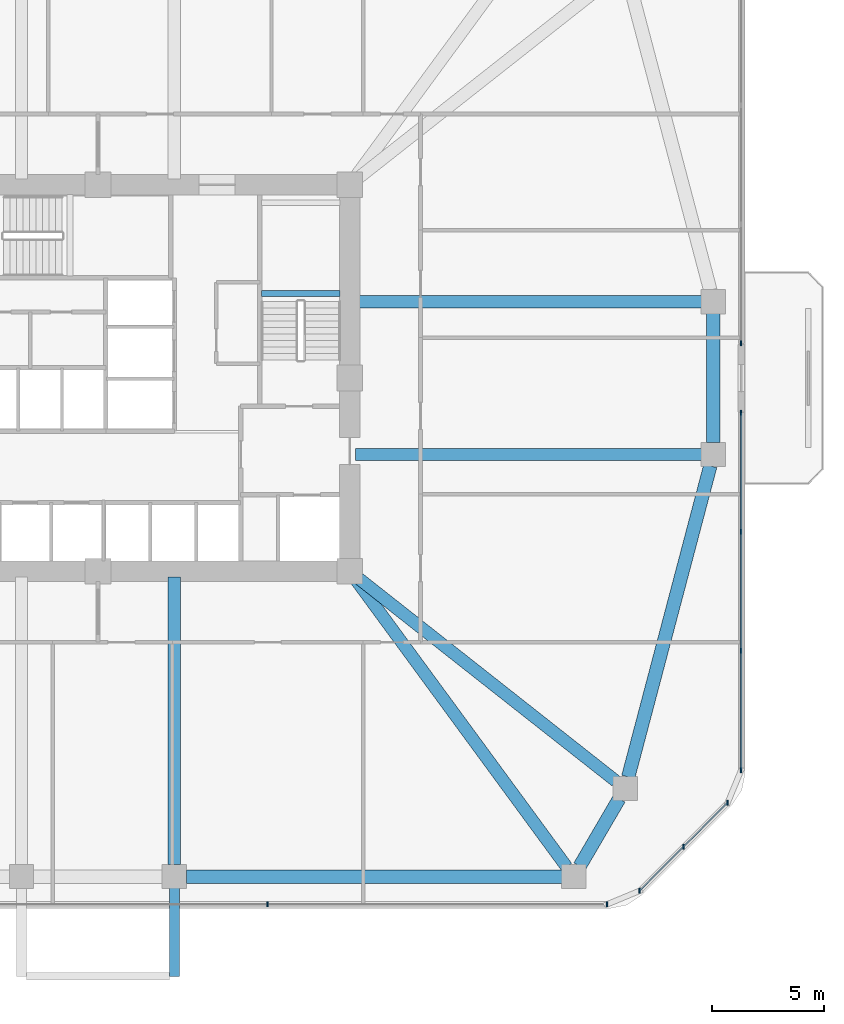
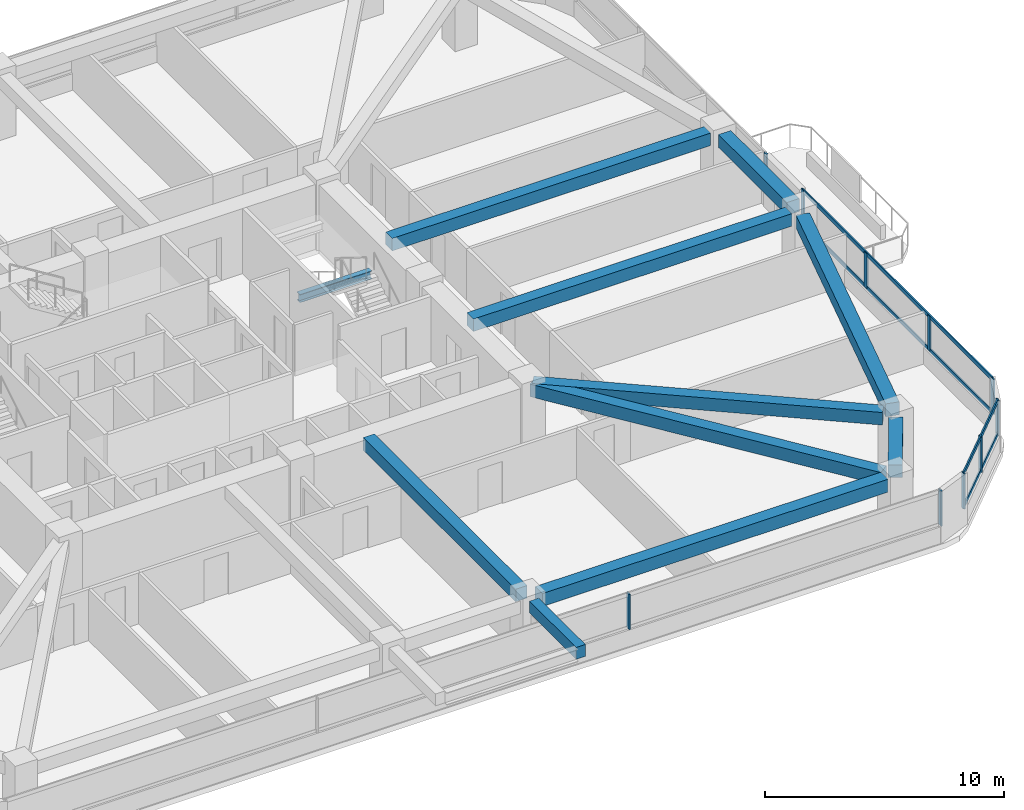
# One storey, part 5 of 14: 14 members, 11 beams, 4 elements without a shape of their own.
"""IFC4 building model written with IfcOpenShell, lengths in metres."""

import ifcopenshell
import ifcopenshell.guid

model = None  # the IFC model being written
_history = None  # IfcOwnerHistory: only IFC2X3 demands one
_inside = {}  # id of a spatial element -> (the spatial element, [elements in it])
_under = {}  # id of a project, library or spatial element -> (it, [spatial elements below it])
_declared = {}  # id of a project -> (the project, [libraries it declares])
_typed = {}  # id of a type object -> (the type object, [elements of that type])
_made_of = {}  # id of a material, layer set ... -> (it, [elements and type objects made of it])


def new_model(schema):
    """Start an empty IFC model of exactly this schema.

    Asked for "IFC4X3", IfcOpenShell would pick the latest addendum, in which some entities
    have other attributes; the version numbers below select the first issue.
    IFC2X3 requires an IfcOwnerHistory on every rooted entity: one is made here for all.
    """
    global model, _history
    if schema == "IFC4X3":
        model = ifcopenshell.file(schema_version=(4, 3, 0, 0))
    else:
        model = ifcopenshell.file(schema=schema)
    _inside.clear()
    _under.clear()
    _declared.clear()
    _typed.clear()
    _made_of.clear()
    _history = None
    if model.schema == "IFC2X3":
        org = make("IfcOrganization", Name="unknown")
        user = make(
            "IfcPersonAndOrganization",
            ThePerson=make("IfcPerson", FamilyName="unknown"),
            TheOrganization=org,
        )
        app = make(
            "IfcApplication",
            ApplicationDeveloper=org,
            Version="unknown",
            ApplicationFullName="unknown",
            ApplicationIdentifier="unknown",
        )
        _history = make(
            "IfcOwnerHistory",
            OwningUser=user,
            OwningApplication=app,
            ChangeAction="ADDED",
            CreationDate=0,
        )
    return model


def make(cls, **values):
    """One entity of the class cls with the attributes given. An attribute that is None is left unset."""
    return model.create_entity(
        cls, **{name: value for name, value in values.items() if value is not None}
    )


def rooted(cls, **values):
    """An entity with a GlobalId (a new one), such as an element, a storey or a relation."""
    return make(cls, GlobalId=ifcopenshell.guid.new(), OwnerHistory=_history, **values)


def si_unit(unit_type, name, prefix=None):
    """IfcSIUnit, for example si_unit("LENGTHUNIT", "METRE", prefix="MILLI")."""
    return make("IfcSIUnit", UnitType=unit_type, Prefix=prefix, Name=name)


def derived_unit(unit_type, elements):
    """IfcDerivedUnit: a product of units, each with its exponent."""
    return make(
        "IfcDerivedUnit",
        Elements=[
            make("IfcDerivedUnitElement", Unit=unit, Exponent=power)
            for unit, power in elements
        ],
        UnitType=unit_type,
    )


def assignment(units):
    """IfcUnitAssignment: the units of a project."""
    return None if units is None else make("IfcUnitAssignment", Units=units)


def point(xyz):
    """IfcCartesianPoint."""
    return None if xyz is None else make("IfcCartesianPoint", Coordinates=xyz)


def direction(xyz):
    """IfcDirection."""
    return None if xyz is None else make("IfcDirection", DirectionRatios=xyz)


def frame(location, z_axis=None, x_axis=None):
    """IfcAxis2Placement3D, a coordinate frame: its origin and axes. An axis left out is left unset."""
    return make(
        "IfcAxis2Placement3D",
        Location=point(location),
        Axis=direction(z_axis),
        RefDirection=direction(x_axis),
    )


def frame_2d(location, x_axis=None):
    """IfcAxis2Placement2D, a coordinate frame in the plane: its origin and x axis."""
    return make(
        "IfcAxis2Placement2D", Location=point(location), RefDirection=direction(x_axis)
    )


def origin():
    """The frame at (0, 0, 0) with its axes left unset."""
    return frame((0.0, 0.0, 0.0))


def origin_2d():
    """The frame at (0, 0) in the plane with its x axis left unset."""
    return frame_2d((0.0, 0.0))


def place(relative_to, where):
    """IfcLocalPlacement: puts the frame where relative to a parent placement (None: the world)."""
    return make(
        "IfcLocalPlacement", PlacementRelTo=relative_to, RelativePlacement=where
    )


def context(
    kind, dimensions, precision=None, world=None, true_north=None, identifier=None
):
    """IfcGeometricRepresentationContext, for example the 3D "Model" context."""
    return make(
        "IfcGeometricRepresentationContext",
        ContextIdentifier=identifier,
        ContextType=kind,
        CoordinateSpaceDimension=dimensions,
        Precision=precision,
        WorldCoordinateSystem=world,
        TrueNorth=true_north,
    )


def subcontext(parent, identifier, kind, view, scale=None):
    """IfcGeometricRepresentationSubContext, for example "Body" below "Model"."""
    return make(
        "IfcGeometricRepresentationSubContext",
        ContextIdentifier=identifier,
        ContextType=kind,
        ParentContext=parent,
        TargetScale=scale,
        TargetView=view,
    )


def project(units=None, contexts=None):
    """IfcProject with its units and contexts."""
    return rooted(
        "IfcProject",
        Name="project",
        RepresentationContexts=contexts,
        UnitsInContext=assignment(units),
    )


def spatial(cls, under=None, at=None, **own):
    """A site, building, storey or space (cls), placed at a placement, below another one or the project."""
    s = rooted(cls, ObjectPlacement=at, **own)
    if under is not None:
        _under.setdefault(under.id(), (under, []))[1].append(s)
    return s


def profile(cls, at=None, kind="AREA", **sizes):
    """A parametric profile (cls). Its sizes go by their IFC names, for example OverallWidth=200.0."""
    return make(cls, ProfileType=kind, Position=at, **sizes)


def rectangle(**sizes):
    """IfcRectangleProfileDef."""
    return profile("IfcRectangleProfileDef", **sizes)


def i_section(**sizes):
    """IfcIShapeProfileDef."""
    return profile("IfcIShapeProfileDef", **sizes)


def extrude(swept, where, along, depth):
    """IfcExtrudedAreaSolid: the profile swept, set in the frame where, extruded along a direction by depth."""
    return make(
        "IfcExtrudedAreaSolid",
        SweptArea=swept,
        Position=where,
        ExtrudedDirection=direction(along),
        Depth=depth,
    )


def shape(context_of_items, identifier, shape_type, items):
    """IfcShapeRepresentation: the items that make up one representation, for example the "Body"."""
    return make(
        "IfcShapeRepresentation",
        ContextOfItems=context_of_items,
        RepresentationIdentifier=identifier,
        RepresentationType=shape_type,
        Items=items,
    )


def material(Name=None, Category=None):
    """IfcMaterial."""
    return make("IfcMaterial", Name=Name, Category=Category)


def material_profile(
    of_material, cross_section, Name=None, Category=None, Priority=None
):
    """IfcMaterialProfile: a cross section and its material."""
    return make(
        "IfcMaterialProfile",
        Name=Name,
        Material=of_material,
        Profile=cross_section,
        Priority=Priority,
        Category=Category,
    )


def profile_set(profiles, Name=None, composite=None):
    """IfcMaterialProfileSet."""
    return make(
        "IfcMaterialProfileSet",
        Name=Name,
        MaterialProfiles=profiles,
        CompositeProfile=composite,
    )


def made_of(thing, what):
    """Note that an element or type object is made of a material, layer set ...; save() writes the relation."""
    if what is not None:
        _made_of.setdefault(what.id(), (what, []))[1].append(thing)
    return thing


def type_object(cls, material=None, **own):
    """A type object (cls), such as IfcWallType, which elements share."""
    return made_of(rooted(cls, **own), material)


def element(
    cls,
    number,
    at=None,
    inside=None,
    cuts=None,
    type_object=None,
    material=None,
    context=None,
    identifier="Body",
    shape_type=None,
    held_by="IfcProductDefinitionShape",
    body=None,
    shapes=None,
    **own,
):
    """One element of the class cls, such as IfcWall. Its Tag is "e" and its number.

    at: its placement. inside: the storey or other place that contains it. cuts: it is an
    opening in that element (IfcRelVoidsElement). A single representation is given by context,
    identifier, shape_type and body (its items); several are given by shapes. held_by: the class
    of the entity that holds the representations. save() writes the other relations.
    """
    e = rooted(cls, Tag="e%d" % number, ObjectPlacement=at, **own)
    if body is not None:
        shapes = [shape(context, identifier, shape_type, body)]
    if shapes is not None:
        e.Representation = make(held_by, Representations=shapes)
    if inside is not None:
        _inside.setdefault(inside.id(), (inside, []))[1].append(e)
    if cuts is not None:
        rooted(
            "IfcRelVoidsElement", RelatingBuildingElement=cuts, RelatedOpeningElement=e
        )
    if type_object is not None:
        _typed.setdefault(type_object.id(), (type_object, []))[1].append(e)
    return made_of(e, material)


def aggregate(whole, parts):
    """IfcRelAggregates: a whole, such as a stair, and the parts it consists of."""
    return rooted("IfcRelAggregates", RelatingObject=whole, RelatedObjects=parts)


def save(model, path):
    """Write the relations noted so far, then the file.

    IfcRelAggregates (storeys below a building ...), IfcRelContainedInSpatialStructure (elements
    in a storey), IfcRelDefinesByType, IfcRelAssociatesMaterial and IfcRelDeclares: one each for
    every whole, place, type object, material and project.
    """
    for whole, parts in _under.values():
        aggregate(whole, parts)
    for where, things in _inside.values():
        rooted(
            "IfcRelContainedInSpatialStructure",
            RelatedElements=things,
            RelatingStructure=where,
        )
    for kind, things in _typed.values():
        rooted("IfcRelDefinesByType", RelatedObjects=things, RelatingType=kind)
    for what, things in _made_of.values():
        rooted("IfcRelAssociatesMaterial", RelatedObjects=things, RelatingMaterial=what)
    for by, libraries in _declared.values():
        rooted("IfcRelDeclares", RelatingContext=by, RelatedDefinitions=libraries)
    model.write(path)


model = new_model("IFC4")

# Units and contexts
model_context = context("Model", 3, precision=1e-05, world=origin(), true_north=direction((0.0, 1.0)))
body_context = subcontext(model_context, "Body", "Model", "MODEL_VIEW")
ifc_project = project(units=[si_unit("LENGTHUNIT", "METRE"), si_unit("AREAUNIT", "SQUARE_METRE"), si_unit("VOLUMEUNIT", "CUBIC_METRE"), si_unit("PLANEANGLEUNIT", "RADIAN"), si_unit("MASSUNIT", "GRAM", prefix="KILO"), derived_unit("THERMALTRANSMITTANCEUNIT", [(si_unit("POWERUNIT", "WATT"), 1), (si_unit("LENGTHUNIT", "METRE"), -2), (si_unit("THERMODYNAMICTEMPERATUREUNIT", "KELVIN"), -1)])], contexts=[model_context])

# Site, building, storey
site_placement = place(None, origin())
site = spatial("IfcSite", under=ifc_project, at=site_placement, CompositionType="ELEMENT")
building_placement = place(site_placement, origin())
building = spatial("IfcBuilding", under=site, at=building_placement, Name="Koralith Skygarden Medical Center", CompositionType="ELEMENT")
storey_placement = place(building_placement, frame((0.0, 0.0, 31.139892578125)))
storey = spatial("IfcBuildingStorey", under=building, at=storey_placement, Name="L07", CompositionType="ELEMENT", Elevation=31.139892578125)

# Curtain wall, members
ifc_material_1 = material(Name="Clear Laminated Glass", Category="glass")
curtain_wall_type = type_object("IfcCurtainWallType", Name="CW-2 Zone 1 Hurricane Unitised Curtain Wall", PredefinedType="NOTDEFINED", material=ifc_material_1)
curtain_wall_1_placement = place(storey_placement, origin())
curtain_wall_1 = element("IfcCurtainWall", 1, at=curtain_wall_1_placement, inside=storey, type_object=curtain_wall_type, Name="Curtain Wall CW-L07-S", PredefinedType="NOTDEFINED")
ifc_material_2 = material(Name="Aluminium 6063-T6", Category="aluminium")
ifc_material_profile_1 = material_profile(ifc_material_2, rectangle(XDim=0.071044921875, YDim=0.219970703125, at=origin_2d()), Name="MUL71X220")
ifc_profile_set_1 = profile_set([ifc_material_profile_1], Name="Aluminium 6063-T6")
member_type_1 = type_object("IfcMemberType", Name="CW-2 Extruded Mullion 71x220", PredefinedType="MULLION", material=ifc_profile_set_1)
member_1_placement = place(storey_placement, frame((44.548095703125, 2.47998046875, 0.85009765625), z_axis=(0.0, 0.0, 1.0), x_axis=(1.0, 0.0, 0.0)))
member_1 = element("IfcMember", 2, at=member_1_placement, type_object=member_type_1, Name="CW-L07-S Mullion 3", PredefinedType="MULLION", context=body_context, shape_type="SweptSolid", body=[
    extrude(rectangle(XDim=0.071044921875, YDim=0.219970703125, at=origin_2d()), origin(), (0.0, 0.0, 1.0), 1.800048828125),
])
member_2_placement = place(storey_placement, frame((59.64501953125, 2.47998046875, 0.85009765625), z_axis=(0.0, 0.0, 1.0), x_axis=(1.0, 0.0, 0.0)))
member_2 = element("IfcMember", 3, at=member_2_placement, type_object=member_type_1, Name="CW-L07-S Mullion 4", PredefinedType="MULLION", context=body_context, shape_type="SweptSolid", body=[
    extrude(rectangle(XDim=0.071044921875, YDim=0.219970703125, at=origin_2d()), origin(), (0.0, 0.0, 1.0), 1.800048828125),
])
aggregate(curtain_wall_1, [member_1, member_2])

curtain_wall_2_placement = place(storey_placement, origin())
curtain_wall_2 = element("IfcCurtainWall", 4, at=curtain_wall_2_placement, inside=storey, type_object=curtain_wall_type, Name="Curtain Wall CW-L07-SE", PredefinedType="NOTDEFINED")
member_3_placement = place(storey_placement, frame((61.095947265625, 3.0810546875, 0.85009765625), z_axis=(0.0, 0.0, 1.0), x_axis=(1.0, 0.0, 0.0)))
member_3 = element("IfcMember", 5, at=member_3_placement, type_object=member_type_1, Name="CW-L07-SE Mullion 1", PredefinedType="MULLION", context=body_context, shape_type="SweptSolid", body=[
    extrude(rectangle(XDim=0.071044921875, YDim=0.219970703125, at=origin_2d()), origin(), (0.0, 0.0, 1.0), 1.800048828125),
])
member_4_placement = place(storey_placement, frame((63.056884765625, 5.0419921875, 0.85009765625), z_axis=(0.0, 0.0, 1.0), x_axis=(1.0, 0.0, 0.0)))
member_4 = element("IfcMember", 6, at=member_4_placement, type_object=member_type_1, Name="CW-L07-SE Mullion 2", PredefinedType="MULLION", context=body_context, shape_type="SweptSolid", body=[
    extrude(rectangle(XDim=0.071044921875, YDim=0.219970703125, at=origin_2d()), origin(), (0.0, 0.0, 1.0), 1.800048828125),
])
member_5_placement = place(storey_placement, frame((65.01904296875, 7.00390625, 0.85009765625), z_axis=(0.0, 0.0, 1.0), x_axis=(1.0, 0.0, 0.0)))
member_5 = element("IfcMember", 7, at=member_5_placement, type_object=member_type_1, Name="CW-L07-SE Mullion 3", PredefinedType="MULLION", context=body_context, shape_type="SweptSolid", body=[
    extrude(rectangle(XDim=0.071044921875, YDim=0.219970703125, at=origin_2d()), origin(), (0.0, 0.0, 1.0), 1.800048828125),
])

curtain_wall_3_placement = place(storey_placement, origin())
curtain_wall_3 = element("IfcCurtainWall", 8, at=curtain_wall_3_placement, inside=storey, type_object=curtain_wall_type, Name="Curtain Wall CW-L07-E-L", PredefinedType="NOTDEFINED")
member_6_placement = place(storey_placement, frame((65.6201171875, 8.455078125, 0.85009765625), z_axis=(0.0, 0.0, 1.0), x_axis=(1.0, 0.0, 0.0)))
member_6 = element("IfcMember", 9, at=member_6_placement, type_object=member_type_1, Name="CW-L07-E-L Mullion 1", PredefinedType="MULLION", context=body_context, shape_type="SweptSolid", body=[
    extrude(rectangle(XDim=0.071044921875, YDim=0.219970703125, at=origin_2d()), origin(), (0.0, 0.0, 1.0), 1.800048828125),
])
member_7_placement = place(storey_placement, frame((65.6201171875, 13.757080078125, 0.85009765625), z_axis=(0.0, 0.0, 1.0), x_axis=(1.0, 0.0, 0.0)))
member_7 = element("IfcMember", 10, at=member_7_placement, type_object=member_type_1, Name="CW-L07-E-L Mullion 2", PredefinedType="MULLION", context=body_context, shape_type="SweptSolid", body=[
    extrude(rectangle(XDim=0.071044921875, YDim=0.219970703125, at=origin_2d()), origin(), (0.0, 0.0, 1.0), 1.800048828125),
])
member_8_placement = place(storey_placement, frame((65.6201171875, 19.05810546875, 0.85009765625), z_axis=(0.0, 0.0, 1.0), x_axis=(1.0, 0.0, 0.0)))
member_8 = element("IfcMember", 11, at=member_8_placement, type_object=member_type_1, Name="CW-L07-E-L Mullion 3", PredefinedType="MULLION", context=body_context, shape_type="SweptSolid", body=[
    extrude(rectangle(XDim=0.071044921875, YDim=0.219970703125, at=origin_2d()), origin(), (0.0, 0.0, 1.0), 1.800048828125),
])
member_9_placement = place(storey_placement, frame((65.6201171875, 24.360107421875, 0.85009765625), z_axis=(0.0, 0.0, 1.0), x_axis=(1.0, 0.0, 0.0)))
member_9 = element("IfcMember", 12, at=member_9_placement, type_object=member_type_1, Name="CW-L07-E-L Mullion 4", PredefinedType="MULLION", context=body_context, shape_type="SweptSolid", body=[
    extrude(rectangle(XDim=0.071044921875, YDim=0.219970703125, at=origin_2d()), origin(), (0.0, 0.0, 1.0), 1.800048828125),
])

# Curtain wall, member
curtain_wall_4_placement = place(storey_placement, origin())
curtain_wall_4 = element("IfcCurtainWall", 13, at=curtain_wall_4_placement, inside=storey, type_object=curtain_wall_type, Name="Curtain Wall CW-L07-E-R", PredefinedType="NOTDEFINED")
member_10_placement = place(storey_placement, frame((65.6201171875, 27.43994140625, 0.85009765625), z_axis=(0.0, 0.0, 1.0), x_axis=(1.0, 0.0, 0.0)))
member_10 = element("IfcMember", 14, at=member_10_placement, type_object=member_type_1, Name="CW-L07-E-R Mullion 1", PredefinedType="MULLION", context=body_context, shape_type="SweptSolid", body=[
    extrude(rectangle(XDim=0.071044921875, YDim=0.219970703125, at=origin_2d()), origin(), (0.0, 0.0, 1.0), 1.800048828125),
])
aggregate(curtain_wall_4, [member_10])

# Member
ifc_material_profile_2 = material_profile(ifc_material_2, rectangle(XDim=0.06591796875, YDim=0.197998046875, at=origin_2d()), Name="TRN66X198")
ifc_profile_set_2 = profile_set([ifc_material_profile_2], Name="Aluminium 6063-T6")
member_type_2 = type_object("IfcMemberType", Name="CW-2 Thermal Transom 66x198", PredefinedType="USERDEFINED", material=ifc_profile_set_2)
member_11_placement = place(storey_placement, frame((61.095947265625, 3.0810546875, 0.900146484375), z_axis=(0.707128783731, 0.707084777957, 0.0), x_axis=(-0.707084777957, 0.707128783731, 0.0)))
member_11 = element("IfcMember", 15, at=member_11_placement, type_object=member_type_2, Name="CW-L07-SE Transom 1", ObjectType="TRANSOM", PredefinedType="USERDEFINED", context=body_context, shape_type="SweptSolid", body=[
    extrude(rectangle(XDim=0.06591796875, YDim=0.197998046875, at=origin_2d()), origin(), (0.0, 0.0, 1.0), 5.5478515625),
])

member_12_placement = place(storey_placement, frame((61.095947265625, 3.0810546875, 2.60009765625), z_axis=(0.707128783731, 0.707084777957, 0.0), x_axis=(-0.707084777957, 0.707128783731, 0.0)))
member_12 = element("IfcMember", 16, at=member_12_placement, type_object=member_type_2, Name="CW-L07-SE Transom 2", ObjectType="TRANSOM", PredefinedType="USERDEFINED", context=body_context, shape_type="SweptSolid", body=[
    extrude(rectangle(XDim=0.06591796875, YDim=0.197998046875, at=origin_2d()), origin(), (0.0, 0.0, 1.0), 5.5478515625),
])

aggregate(curtain_wall_2, [member_3, member_4, member_5, member_11, member_12])

member_13_placement = place(storey_placement, frame((65.6201171875, 8.455078125, 0.900146484375), z_axis=(0.0, 1.0, 0.0), x_axis=(-1.0, 0.0, 0.0)))
member_13 = element("IfcMember", 17, at=member_13_placement, type_object=member_type_2, Name="CW-L07-E-L Transom 1", ObjectType="TRANSOM", PredefinedType="USERDEFINED", context=body_context, shape_type="SweptSolid", body=[
    extrude(rectangle(XDim=0.06591796875, YDim=0.197998046875, at=origin_2d()), origin(), (0.0, 0.0, 1.0), 15.905029296875),
])

member_14_placement = place(storey_placement, frame((65.6201171875, 8.455078125, 2.60009765625), z_axis=(0.0, 1.0, 0.0), x_axis=(-1.0, 0.0, 0.0)))
member_14 = element("IfcMember", 18, at=member_14_placement, type_object=member_type_2, Name="CW-L07-E-L Transom 2", ObjectType="TRANSOM", PredefinedType="USERDEFINED", context=body_context, shape_type="SweptSolid", body=[
    extrude(rectangle(XDim=0.06591796875, YDim=0.197998046875, at=origin_2d()), origin(), (0.0, 0.0, 1.0), 15.905029296875),
])

aggregate(curtain_wall_3, [member_6, member_7, member_8, member_9, member_13, member_14])

# Beams
ifc_material_3 = material(Name="Steel ASTM A992 Grade 50", Category="steel")
ifc_material_profile_3 = material_profile(ifc_material_3, i_section(OverallWidth=0.260009765625, OverallDepth=0.4150390625, WebThickness=0.010009765625, FlangeThickness=0.016845703125, at=origin_2d()), Name="W16X67")
ifc_profile_set_3 = profile_set([ifc_material_profile_3], Name="Steel ASTM A992 Grade 50")
beam_type_1 = type_object("IfcBeamType", Name="Clinical Floor Joist W16X67", PredefinedType="JOIST", material=ifc_profile_set_3)
beam_1_placement = place(storey_placement, frame((44.280029296875, 29.659912109375, 1.39208984375), z_axis=(1.0, 0.0, 0.0), x_axis=(0.0, 1.0, 0.0)))
element("IfcBeam", 19, at=beam_1_placement, inside=storey, type_object=beam_type_1, Name="L07 Stair ST2 Half-Landing Support Beam 1A", PredefinedType="JOIST", context=body_context, shape_type="SweptSolid", body=[
    extrude(i_section(OverallWidth=0.260009765625, OverallDepth=0.4150390625, WebThickness=0.010009765625, FlangeThickness=0.016845703125, at=origin_2d()), origin(), (0.0, 0.0, 1.0), 3.489990234375),
])
ifc_material_4 = material(Name="Concrete C45/55", Category="concrete")
ifc_material_profile_4 = material_profile(ifc_material_4, rectangle(XDim=0.449951171875, YDim=0.60009765625, at=origin_2d()), Name="RCB450X600")
ifc_profile_set_4 = profile_set([ifc_material_profile_4], Name="Concrete C45/55")
beam_type_2 = type_object("IfcBeamType", Name="Planted Balcony Cantilever Beam RCB450X600", PredefinedType="BEAM", material=ifc_profile_set_4)
beam_2_placement = place(storey_placement, frame((40.39990234375, 3.199951171875, 3.0400390625), z_axis=(0.0, -1.0, 0.0), x_axis=(1.0, 0.0, 0.0)))
element("IfcBeam", 20, at=beam_2_placement, inside=storey, type_object=beam_type_2, Name="L08 S Balcony Cantilever Beam B", PredefinedType="BEAM", context=body_context, shape_type="SweptSolid", body=[
    extrude(rectangle(XDim=0.449951171875, YDim=0.60009765625, at=origin_2d()), origin(), (0.0, 0.0, 1.0), 3.919921875),
])
ifc_material_profile_5 = material_profile(ifc_material_4, rectangle(XDim=0.550048828125, YDim=0.639892578125, at=origin_2d()), Name="RCB550X640")
ifc_profile_set_5 = profile_set([ifc_material_profile_5], Name="Concrete C45/55")
beam_type_3 = type_object("IfcBeamType", Name="Radial Collector Beam RCB550X640", PredefinedType="BEAM", material=ifc_profile_set_5)
beam_3_placement = place(storey_placement, frame((40.39990234375, 17.050048828125, 3.0), z_axis=(0.0, -1.0, 0.0), x_axis=(1.0, 0.0, 0.0)))
element("IfcBeam", 21, at=beam_3_placement, inside=storey, type_object=beam_type_3, Name="L07 Radial Collector Beam RB-05", PredefinedType="BEAM", context=body_context, shape_type="SweptSolid", body=[
    extrude(rectangle(XDim=0.550048828125, YDim=0.639892578125, at=origin_2d()), origin(), (0.0, 0.0, 1.0), 12.800048828125),
])
beam_4_placement = place(storey_placement, frame((48.347900390625, 17.097900390625, 3.0), z_axis=(0.591718052249, -0.806144991079, 0.0), x_axis=(0.806144991079, 0.591718052249, 0.0)))
element("IfcBeam", 22, at=beam_4_placement, inside=storey, type_object=beam_type_3, Name="L07 Radial Collector Beam RB-06", PredefinedType="BEAM", context=body_context, shape_type="SweptSolid", body=[
    extrude(rectangle(XDim=0.550048828125, YDim=0.639892578125, at=origin_2d()), origin(), (0.0, 0.0, 1.0), 16.065185546875),
])
beam_5_placement = place(storey_placement, frame((48.39599609375, 17.14501953125, 3.0), z_axis=(0.785497250365, -0.618865146594, 0.0), x_axis=(0.618865146594, 0.785497250365, 0.0)))
element("IfcBeam", 23, at=beam_5_placement, inside=storey, type_object=beam_type_3, Name="L07 Radial Collector Beam RB-07", PredefinedType="BEAM", context=body_context, shape_type="SweptSolid", body=[
    extrude(rectangle(XDim=0.550048828125, YDim=0.639892578125, at=origin_2d()), origin(), (0.0, 0.0, 1.0), 14.828857421875),
])
for number, where, z_axis, x_axis, name in (
    (24, (48.449951171875, 22.5, 3.0), (1.0, 0.0, 0.0), (0.0, 1.0, 0.0), "L07 Radial Collector Beam RB-08"),
    (25, (48.449951171875, 29.300048828125, 3.0), (1.0, 0.0, 0.0), (0.0, 1.0, 0.0), "L07 Radial Collector Beam RB-09"),
):
    element("IfcBeam", number, at=place(storey_placement, frame(where, z_axis=z_axis, x_axis=x_axis)), inside=storey, type_object=beam_type_3, Name=name, PredefinedType="BEAM", context=body_context, shape_type="SweptSolid", body=[
        extrude(rectangle(XDim=0.550048828125, YDim=0.639892578125, at=origin_2d()), origin(), (0.0, 0.0, 1.0), 15.400146484375),
    ])
ifc_material_profile_6 = material_profile(ifc_material_4, rectangle(XDim=0.60009765625, YDim=0.659912109375, at=origin_2d()), Name="RCB600X660")
ifc_profile_set_6 = profile_set([ifc_material_profile_6], Name="Concrete C45/55")
beam_type_4 = type_object("IfcBeamType", Name="Zone 1 Spandrel Beam RCB600X660", PredefinedType="SPANDREL", material=ifc_profile_set_6)
beam_6_placement = place(storey_placement, frame((40.929931640625, 3.719970703125, 2.989990234375), z_axis=(1.0, 0.0, 0.0), x_axis=(0.0, 1.0, 0.0)))
element("IfcBeam", 26, at=beam_6_placement, inside=storey, type_object=beam_type_4, Name="L07 Perimeter Spandrel Beam SP-05", PredefinedType="SPANDREL", context=body_context, shape_type="SweptSolid", body=[
    extrude(rectangle(XDim=0.60009765625, YDim=0.659912109375, at=origin_2d()), origin(), (0.0, 0.0, 1.0), 16.7080078125),
])
beam_7_placement = place(storey_placement, frame((58.43603515625, 4.177978515625, 2.989990234375), z_axis=(0.504638660636, 0.863330656349, 0.0), x_axis=(-0.863330656349, 0.504638660636, 0.0)))
element("IfcBeam", 27, at=beam_7_placement, inside=storey, type_object=beam_type_4, Name="L07 Perimeter Spandrel Beam SP-06", PredefinedType="SPANDREL", context=body_context, shape_type="SweptSolid", body=[
    extrude(rectangle(XDim=0.60009765625, YDim=0.659912109375, at=origin_2d()), origin(), (0.0, 0.0, 1.0), 3.4794921875),
])
beam_8_placement = place(storey_placement, frame((60.594970703125, 8.152099609375, 2.989990234375), z_axis=(0.255088684842, 0.966917660851, 0.0), x_axis=(-0.966917660851, 0.255088684842, 0.0)))
element("IfcBeam", 28, at=beam_8_placement, inside=storey, type_object=beam_type_4, Name="L07 Perimeter Spandrel Beam SP-07", PredefinedType="SPANDREL", context=body_context, shape_type="SweptSolid", body=[
    extrude(rectangle(XDim=0.60009765625, YDim=0.659912109375, at=origin_2d()), origin(), (0.0, 0.0, 1.0), 14.309326171875),
])
beam_9_placement = place(storey_placement, frame((64.3798828125, 23.030029296875, 2.989990234375), z_axis=(0.0, 1.0, 0.0), x_axis=(-1.0, 0.0, 0.0)))
element("IfcBeam", 29, at=beam_9_placement, inside=storey, type_object=beam_type_4, Name="L07 Perimeter Spandrel Beam SP-08", PredefinedType="SPANDREL", context=body_context, shape_type="SweptSolid", body=[
    extrude(rectangle(XDim=0.60009765625, YDim=0.659912109375, at=origin_2d()), origin(), (0.0, 0.0, 1.0), 5.739990234375),
])

save(model, "model.ifc")
